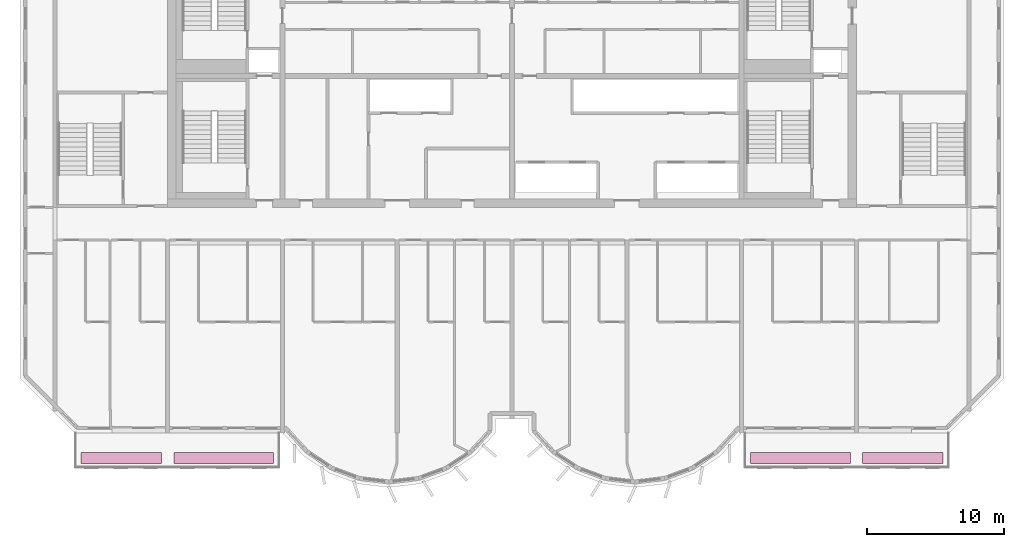
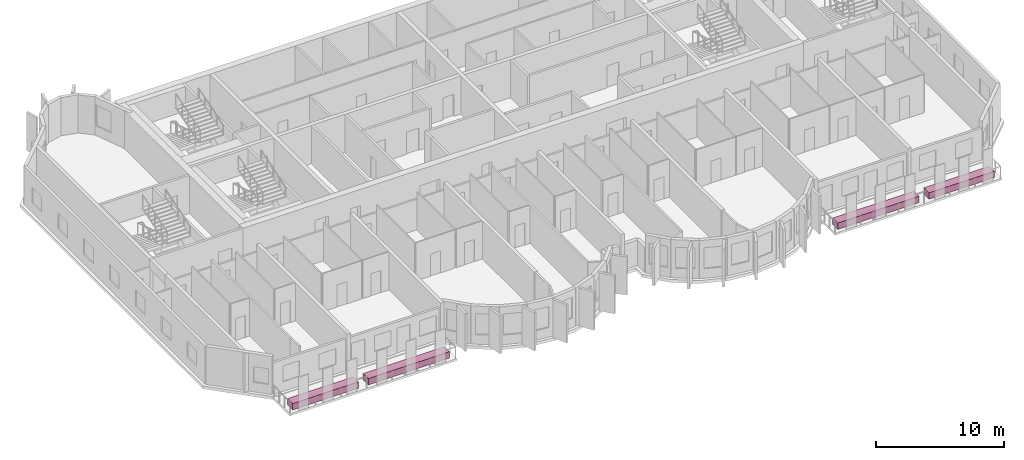
# One storey, part 11 of 11: 4 furniture elements.
"""IFC4 building model written with IfcOpenShell, lengths in metres."""

from ifc_helpers import new_model, si_unit, direction, frame, origin, origin_2d, place, context, subcontext, project, spatial, rectangle, extrude, source, transform, mapped, material, type_object, element, save


model = new_model("IFC4")

# Units and contexts
model_context = context("Model", 3, precision=1e-05, world=origin(), true_north=direction((0.0, 1.0)))
body_context = subcontext(model_context, "Body", "Model", "MODEL_VIEW")
ifc_project = project(units=[si_unit("LENGTHUNIT", "METRE"), si_unit("AREAUNIT", "SQUARE_METRE"), si_unit("VOLUMEUNIT", "CUBIC_METRE"), si_unit("PLANEANGLEUNIT", "RADIAN"), si_unit("MASSUNIT", "GRAM", prefix="KILO")], contexts=[model_context])

# Site, building, storey
site_placement = place(None, origin())
site = spatial("IfcSite", under=ifc_project, at=site_placement, CompositionType="ELEMENT")
building_placement = place(site_placement, origin())
building = spatial("IfcBuilding", under=site, at=building_placement, Name="Vanashikhar Sky Hotel", CompositionType="ELEMENT")
storey_placement = place(building_placement, frame((0.0, 0.0, 260.800048828125)))
storey = spatial("IfcBuildingStorey", under=building, at=storey_placement, Name="L63", CompositionType="ELEMENT", Elevation=260.800048828125)

# Furniture
ifc_material = material(Name="Planting soil and shrubs")
furniture_type = type_object("IfcFurnitureType", Name="Planter trough", AssemblyPlace="NOTDEFINED", PredefinedType="USERDEFINED", material=ifc_material)
shared_shape_1 = source(origin(), body_context, "Body", "SweptSolid", [
    extrude(rectangle(XDim=7.300048828125, YDim=0.800048828125, at=origin_2d()), origin(), (0.0, 0.0, 1.0), 0.60009765625),
])
for number, where, z_axis, x_axis, name in (
    (1, (29.300048828125, 3.64990234375, -0.050048828125), (0.0, 0.0, 1.0), (1.0, 0.0, 0.0), "PLANTER with climbers"),
    (2, (71.5, 3.64990234375, -0.050048828125), (0.0, 0.0, 1.0), (1.0, 0.0, 0.0), "PLANTER with climbers"),
):
    element("IfcFurniture", number, at=place(storey_placement, frame(where, z_axis=z_axis, x_axis=x_axis)), inside=storey, type_object=furniture_type, Name=name, ObjectType="PLANTER", PredefinedType="USERDEFINED", context=body_context, shape_type="MappedRepresentation", body=[
        mapped(shared_shape_1, transform((0.0, 0.0, 0.0), scale=1.0)),
    ])
shared_shape_2 = source(origin(), body_context, "Body", "SweptSolid", [
    extrude(rectangle(XDim=5.89990234375, YDim=0.800048828125, at=origin_2d()), origin(), (0.0, 0.0, 1.0), 0.60009765625),
])
for number, where, z_axis, x_axis, name in (
    (3, (21.800048828125, 3.64990234375, -0.050048828125), (0.0, 0.0, 1.0), (1.0, 0.0, 0.0), "PLANTER with climbers"),
    (4, (79.0, 3.64990234375, -0.050048828125), (0.0, 0.0, 1.0), (1.0, 0.0, 0.0), "PLANTER with climbers"),
):
    element("IfcFurniture", number, at=place(storey_placement, frame(where, z_axis=z_axis, x_axis=x_axis)), inside=storey, type_object=furniture_type, Name=name, ObjectType="PLANTER", PredefinedType="USERDEFINED", context=body_context, shape_type="MappedRepresentation", body=[
        mapped(shared_shape_2, transform((0.0, 0.0, 0.0), scale=1.0)),
    ])

save(model, "model.ifc")
